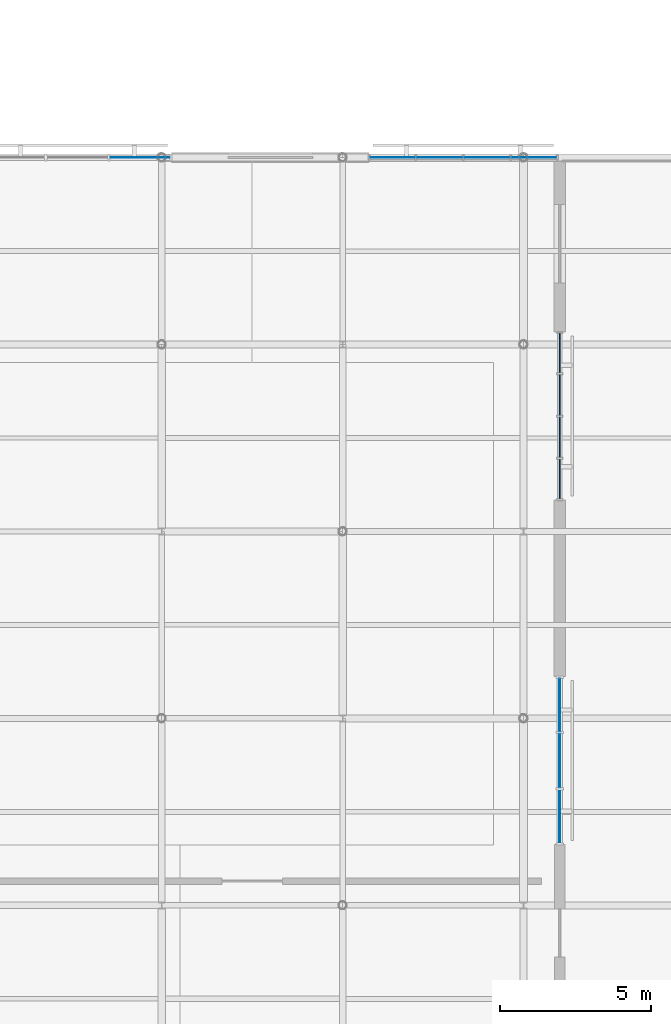
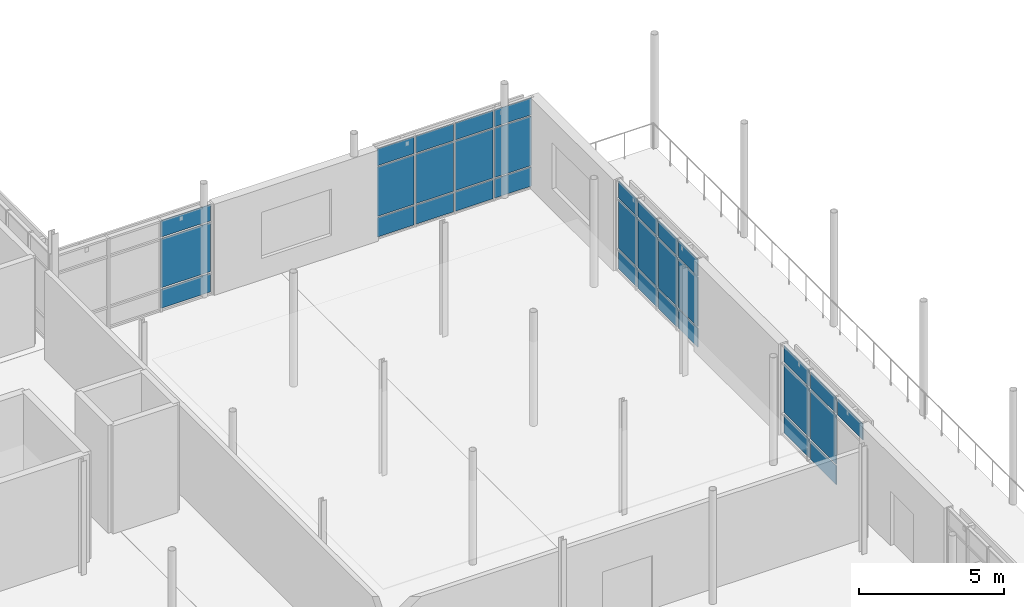
# One storey, part 43 of 66: 34 plates, 4 elements without a shape of their own.
"""IFC4 building model written with IfcOpenShell, lengths in metres."""

from ifc_helpers import new_model, si_unit, direction, frame, origin, origin_2d, place, context, subcontext, project, spatial, rectangle, extrude, material, layer, layer_set, type_object, element, aggregate, save


model = new_model("IFC4")

# Units and contexts
model_context = context("Model", 3, precision=1e-05, world=origin(), true_north=direction((0.0, 1.0)))
body_context = subcontext(model_context, "Body", "Model", "MODEL_VIEW")
ifc_project = project(units=[si_unit("LENGTHUNIT", "METRE"), si_unit("AREAUNIT", "SQUARE_METRE"), si_unit("VOLUMEUNIT", "CUBIC_METRE"), si_unit("PLANEANGLEUNIT", "RADIAN"), si_unit("MASSUNIT", "GRAM", prefix="KILO")], contexts=[model_context])

# Site, building, storey
site_placement = place(None, origin())
site = spatial("IfcSite", under=ifc_project, at=site_placement, CompositionType="ELEMENT")
building_placement = place(site_placement, origin())
building = spatial("IfcBuilding", under=site, at=building_placement, Name="Mirzam Square Science Centre", CompositionType="ELEMENT")
storey_placement = place(building_placement, frame((0.0, 0.0, 15.60009765625)))
storey = spatial("IfcBuildingStorey", under=building, at=storey_placement, Name="L03", CompositionType="ELEMENT", Elevation=15.60009765625)

# Curtain wall, plates
ifc_material_1 = material(Name="Anodised Aluminium and Low-E Solar Glass", Category="aluminium")
ifc_layer_1 = layer(ifc_material_1, 0.159912109375)
ifc_layer_set_1 = layer_set([ifc_layer_1], Name="CW-COURT-B")
curtain_wall_type_1 = type_object("IfcCurtainWallType", Name="CW-COURT-B", PredefinedType="USERDEFINED", material=ifc_layer_set_1)
curtain_wall_1_placement = place(storey_placement, origin())
curtain_wall_1 = element("IfcCurtainWall", 1, at=curtain_wall_1_placement, inside=storey, type_object=curtain_wall_type_1, Name="L03 unitised curtain wall 130", ObjectType="UNITISED CURTAIN WALL", PredefinedType="USERDEFINED")
ifc_material_2 = material(Name="Ceramic-Fritted Courtyard Solar Glass", Category="glass")
ifc_layer_2 = layer(ifc_material_2, 0.02392578125)
ifc_layer_set_2 = layer_set([ifc_layer_2], Name="CWP-GLZ-24")
plate_type_1 = type_object("IfcPlateType", Name="CWP-GLZ-24", PredefinedType="CURTAIN_PANEL", material=ifc_layer_set_2)
plate_1_placement = place(storey_placement, frame((156.34375, 86.800048828125, 0.059814453125), z_axis=(0.0, 0.0, 1.0), x_axis=(-1.0, 0.0, 0.0)))
plate_1 = element("IfcPlate", 2, at=plate_1_placement, type_object=plate_type_1, Name="CW-04 panel 1.1", PredefinedType="CURTAIN_PANEL", context=body_context, shape_type="SweptSolid", body=[
    extrude(rectangle(XDim=1.482421875, YDim=0.02392578125, at=origin_2d()), origin(), (0.0, 0.0, 1.0), 0.81005859375),
])
plate_2_placement = place(storey_placement, frame((156.34375, 86.800048828125, 0.929931640625), z_axis=(0.0, 0.0, 1.0), x_axis=(-1.0, 0.0, 0.0)))
plate_2 = element("IfcPlate", 3, at=plate_2_placement, type_object=plate_type_1, Name="CW-04 panel 1.2", PredefinedType="CURTAIN_PANEL", context=body_context, shape_type="SweptSolid", body=[
    extrude(rectangle(XDim=1.482421875, YDim=0.02392578125, at=origin_2d()), origin(), (0.0, 0.0, 1.0), 2.080078125),
])
plate_3_placement = place(storey_placement, frame((156.34375, 86.800048828125, 3.06982421875), z_axis=(0.0, 0.0, 1.0), x_axis=(-1.0, 0.0, 0.0)))
plate_3 = element("IfcPlate", 4, at=plate_3_placement, type_object=plate_type_1, Name="CW-04 panel 1.3", PredefinedType="CURTAIN_PANEL", context=body_context, shape_type="SweptSolid", body=[
    extrude(rectangle(XDim=1.482421875, YDim=0.02392578125, at=origin_2d()), origin(), (0.0, 0.0, 1.0), 0.7099609375),
])
plate_4_placement = place(storey_placement, frame((154.7861328125, 86.800048828125, 0.059814453125), z_axis=(0.0, 0.0, 1.0), x_axis=(-1.0, 0.0, 0.0)))
plate_4 = element("IfcPlate", 5, at=plate_4_placement, type_object=plate_type_1, Name="CW-04 panel 2.1", PredefinedType="CURTAIN_PANEL", context=body_context, shape_type="SweptSolid", body=[
    extrude(rectangle(XDim=1.512451171875, YDim=0.02392578125, at=origin_2d()), origin(), (0.0, 0.0, 1.0), 0.81005859375),
])
plate_5_placement = place(storey_placement, frame((154.7861328125, 86.800048828125, 0.929931640625), z_axis=(0.0, 0.0, 1.0), x_axis=(-1.0, 0.0, 0.0)))
plate_5 = element("IfcPlate", 6, at=plate_5_placement, type_object=plate_type_1, Name="CW-04 panel 2.2", PredefinedType="CURTAIN_PANEL", context=body_context, shape_type="SweptSolid", body=[
    extrude(rectangle(XDim=1.512451171875, YDim=0.02392578125, at=origin_2d()), origin(), (0.0, 0.0, 1.0), 2.080078125),
])
plate_6_placement = place(storey_placement, frame((154.7861328125, 86.800048828125, 3.06982421875), z_axis=(0.0, 0.0, 1.0), x_axis=(-1.0, 0.0, 0.0)))
plate_6 = element("IfcPlate", 7, at=plate_6_placement, type_object=plate_type_1, Name="CW-04 panel 2.3", PredefinedType="CURTAIN_PANEL", context=body_context, shape_type="SweptSolid", body=[
    extrude(rectangle(XDim=1.512451171875, YDim=0.02392578125, at=origin_2d()), origin(), (0.0, 0.0, 1.0), 0.7099609375),
])
plate_7_placement = place(storey_placement, frame((153.2138671875, 86.800048828125, 0.059814453125), z_axis=(0.0, 0.0, 1.0), x_axis=(-1.0, 0.0, 0.0)))
plate_7 = element("IfcPlate", 8, at=plate_7_placement, type_object=plate_type_1, Name="CW-04 panel 3.1", PredefinedType="CURTAIN_PANEL", context=body_context, shape_type="SweptSolid", body=[
    extrude(rectangle(XDim=1.512451171875, YDim=0.02392578125, at=origin_2d()), origin(), (0.0, 0.0, 1.0), 0.81005859375),
])
plate_8_placement = place(storey_placement, frame((153.2138671875, 86.800048828125, 0.929931640625), z_axis=(0.0, 0.0, 1.0), x_axis=(-1.0, 0.0, 0.0)))
plate_8 = element("IfcPlate", 9, at=plate_8_placement, type_object=plate_type_1, Name="CW-04 panel 3.2", PredefinedType="CURTAIN_PANEL", context=body_context, shape_type="SweptSolid", body=[
    extrude(rectangle(XDim=1.512451171875, YDim=0.02392578125, at=origin_2d()), origin(), (0.0, 0.0, 1.0), 2.080078125),
])
plate_9_placement = place(storey_placement, frame((153.2138671875, 86.800048828125, 3.06982421875), z_axis=(0.0, 0.0, 1.0), x_axis=(-1.0, 0.0, 0.0)))
plate_9 = element("IfcPlate", 10, at=plate_9_placement, type_object=plate_type_1, Name="CW-04 panel 3.3", PredefinedType="CURTAIN_PANEL", context=body_context, shape_type="SweptSolid", body=[
    extrude(rectangle(XDim=1.512451171875, YDim=0.02392578125, at=origin_2d()), origin(), (0.0, 0.0, 1.0), 0.7099609375),
])
plate_10_placement = place(storey_placement, frame((151.65625, 86.800048828125, 0.059814453125), z_axis=(0.0, 0.0, 1.0), x_axis=(-1.0, 0.0, 0.0)))
plate_10 = element("IfcPlate", 11, at=plate_10_placement, type_object=plate_type_1, Name="CW-04 panel 4.1", PredefinedType="CURTAIN_PANEL", context=body_context, shape_type="SweptSolid", body=[
    extrude(rectangle(XDim=1.482421875, YDim=0.02392578125, at=origin_2d()), origin(), (0.0, 0.0, 1.0), 0.81005859375),
])
plate_11_placement = place(storey_placement, frame((151.65625, 86.800048828125, 0.929931640625), z_axis=(0.0, 0.0, 1.0), x_axis=(-1.0, 0.0, 0.0)))
plate_11 = element("IfcPlate", 12, at=plate_11_placement, type_object=plate_type_1, Name="CW-04 panel 4.2", PredefinedType="CURTAIN_PANEL", context=body_context, shape_type="SweptSolid", body=[
    extrude(rectangle(XDim=1.482421875, YDim=0.02392578125, at=origin_2d()), origin(), (0.0, 0.0, 1.0), 2.080078125),
])
plate_12_placement = place(storey_placement, frame((151.65625, 86.800048828125, 3.06982421875), z_axis=(0.0, 0.0, 1.0), x_axis=(-1.0, 0.0, 0.0)))
plate_12 = element("IfcPlate", 13, at=plate_12_placement, type_object=plate_type_1, Name="CW-04 panel 4.3", PredefinedType="CURTAIN_PANEL", context=body_context, shape_type="SweptSolid", body=[
    extrude(rectangle(XDim=1.482421875, YDim=0.02392578125, at=origin_2d()), origin(), (0.0, 0.0, 1.0), 0.7099609375),
])
aggregate(curtain_wall_1, [plate_1, plate_2, plate_3, plate_4, plate_5, plate_6, plate_7, plate_8, plate_9, plate_10, plate_11, plate_12])

ifc_layer_3 = layer(ifc_material_1, 0.239990234375)
ifc_layer_set_3 = layer_set([ifc_layer_3], Name="CW-EAST-B")
curtain_wall_type_2 = type_object("IfcCurtainWallType", Name="CW-EAST-B", PredefinedType="USERDEFINED", material=ifc_layer_set_3)
curtain_wall_2_placement = place(storey_placement, origin())
curtain_wall_2 = element("IfcCurtainWall", 14, at=curtain_wall_2_placement, inside=storey, type_object=curtain_wall_type_2, Name="L03 unitised curtain wall 128", ObjectType="UNITISED CURTAIN WALL", PredefinedType="USERDEFINED")
ifc_material_3 = material(Name="Double-Silver Low-E Insulated Solar Glass", Category="glass")
ifc_layer_4 = layer(ifc_material_3, 0.028076171875)
ifc_layer_set_4 = layer_set([ifc_layer_4], Name="CWP-GLZ-28")
plate_type_2 = type_object("IfcPlateType", Name="CWP-GLZ-28", PredefinedType="CURTAIN_PANEL", material=ifc_layer_set_4)
plate_13_placement = place(storey_placement, frame((157.199951171875, 64.95068359375, 3.077392578125), z_axis=(0.0, 0.0, 1.0), x_axis=(0.0, 1.0, 0.0)))
plate_13 = element("IfcPlate", 15, at=plate_13_placement, type_object=plate_type_2, Name="CW-06 panel 1.3", PredefinedType="CURTAIN_PANEL", context=body_context, shape_type="SweptSolid", body=[
    extrude(rectangle(XDim=1.755615234375, YDim=0.028076171875, at=origin_2d()), origin(), (0.0, 0.0, 1.0), 0.6875),
])
plate_14_placement = place(storey_placement, frame((157.199951171875, 66.800048828125, 0.074951171875), z_axis=(0.0, 0.0, 1.0), x_axis=(0.0, 1.0, 0.0)))
plate_14 = element("IfcPlate", 16, at=plate_14_placement, type_object=plate_type_2, Name="CW-06 panel 2.1", PredefinedType="CURTAIN_PANEL", context=body_context, shape_type="SweptSolid", body=[
    extrude(rectangle(XDim=1.79296875, YDim=0.028076171875, at=origin_2d()), origin(), (0.0, 0.0, 1.0), 0.78759765625),
])
plate_15_placement = place(storey_placement, frame((157.199951171875, 66.800048828125, 0.9375), z_axis=(0.0, 0.0, 1.0), x_axis=(0.0, 1.0, 0.0)))
plate_15 = element("IfcPlate", 17, at=plate_15_placement, type_object=plate_type_2, Name="CW-06 panel 2.2", PredefinedType="CURTAIN_PANEL", context=body_context, shape_type="SweptSolid", body=[
    extrude(rectangle(XDim=1.79296875, YDim=0.028076171875, at=origin_2d()), origin(), (0.0, 0.0, 1.0), 2.06494140625),
])
plate_16_placement = place(storey_placement, frame((157.199951171875, 66.800048828125, 3.077392578125), z_axis=(0.0, 0.0, 1.0), x_axis=(0.0, 1.0, 0.0)))
plate_16 = element("IfcPlate", 18, at=plate_16_placement, type_object=plate_type_2, Name="CW-06 panel 2.3", PredefinedType="CURTAIN_PANEL", context=body_context, shape_type="SweptSolid", body=[
    extrude(rectangle(XDim=1.79296875, YDim=0.028076171875, at=origin_2d()), origin(), (0.0, 0.0, 1.0), 0.6875),
])
plate_17_placement = place(storey_placement, frame((157.199951171875, 68.6494140625, 0.074951171875), z_axis=(0.0, 0.0, 1.0), x_axis=(0.0, 1.0, 0.0)))
plate_17 = element("IfcPlate", 19, at=plate_17_placement, type_object=plate_type_2, Name="CW-06 panel 3.1", PredefinedType="CURTAIN_PANEL", context=body_context, shape_type="SweptSolid", body=[
    extrude(rectangle(XDim=1.755615234375, YDim=0.028076171875, at=origin_2d()), origin(), (0.0, 0.0, 1.0), 0.78759765625),
])
plate_18_placement = place(storey_placement, frame((157.199951171875, 68.6494140625, 0.9375), z_axis=(0.0, 0.0, 1.0), x_axis=(0.0, 1.0, 0.0)))
plate_18 = element("IfcPlate", 20, at=plate_18_placement, type_object=plate_type_2, Name="CW-06 panel 3.2", PredefinedType="CURTAIN_PANEL", context=body_context, shape_type="SweptSolid", body=[
    extrude(rectangle(XDim=1.755615234375, YDim=0.028076171875, at=origin_2d()), origin(), (0.0, 0.0, 1.0), 2.06494140625),
])
plate_19_placement = place(storey_placement, frame((157.199951171875, 68.6494140625, 3.077392578125), z_axis=(0.0, 0.0, 1.0), x_axis=(0.0, 1.0, 0.0)))
plate_19 = element("IfcPlate", 21, at=plate_19_placement, type_object=plate_type_2, Name="CW-06 panel 3.3", PredefinedType="CURTAIN_PANEL", context=body_context, shape_type="SweptSolid", body=[
    extrude(rectangle(XDim=1.755615234375, YDim=0.028076171875, at=origin_2d()), origin(), (0.0, 0.0, 1.0), 0.6875),
])
aggregate(curtain_wall_2, [plate_13, plate_14, plate_15, plate_16, plate_17, plate_18, plate_19])

curtain_wall_3_placement = place(storey_placement, origin())
curtain_wall_3 = element("IfcCurtainWall", 22, at=curtain_wall_3_placement, inside=storey, type_object=curtain_wall_type_2, Name="L03 unitised curtain wall 131", ObjectType="UNITISED CURTAIN WALL", PredefinedType="USERDEFINED")
plate_20_placement = place(storey_placement, frame((143.27783203125, 86.800048828125, 0.074951171875), z_axis=(0.0, 0.0, 1.0), x_axis=(-1.0, 0.0, 0.0)))
plate_20 = element("IfcPlate", 23, at=plate_20_placement, type_object=plate_type_2, Name="CW-06 panel 1.1", PredefinedType="CURTAIN_PANEL", context=body_context, shape_type="SweptSolid", body=[
    extrude(rectangle(XDim=1.984130859375, YDim=0.028076171875, at=origin_2d()), origin(), (0.0, 0.0, 1.0), 0.78759765625),
])
plate_21_placement = place(storey_placement, frame((143.27783203125, 86.800048828125, 0.9375), z_axis=(0.0, 0.0, 1.0), x_axis=(-1.0, 0.0, 0.0)))
plate_21 = element("IfcPlate", 24, at=plate_21_placement, type_object=plate_type_2, Name="CW-06 panel 1.2", PredefinedType="CURTAIN_PANEL", context=body_context, shape_type="SweptSolid", body=[
    extrude(rectangle(XDim=1.984130859375, YDim=0.028076171875, at=origin_2d()), origin(), (0.0, 0.0, 1.0), 2.06494140625),
])
plate_22_placement = place(storey_placement, frame((143.27783203125, 86.800048828125, 3.077392578125), z_axis=(0.0, 0.0, 1.0), x_axis=(-1.0, 0.0, 0.0)))
plate_22 = element("IfcPlate", 25, at=plate_22_placement, type_object=plate_type_2, Name="CW-06 panel 1.3", PredefinedType="CURTAIN_PANEL", context=body_context, shape_type="SweptSolid", body=[
    extrude(rectangle(XDim=1.984130859375, YDim=0.028076171875, at=origin_2d()), origin(), (0.0, 0.0, 1.0), 0.6875),
])
aggregate(curtain_wall_3, [plate_20, plate_21, plate_22])

ifc_layer_5 = layer(ifc_material_1, 0.179931640625)
ifc_layer_set_5 = layer_set([ifc_layer_5], Name="CW-LINK-A")
curtain_wall_type_3 = type_object("IfcCurtainWallType", Name="CW-LINK-A", PredefinedType="USERDEFINED", material=ifc_layer_set_5)
curtain_wall_4_placement = place(storey_placement, origin())
curtain_wall_4 = element("IfcCurtainWall", 26, at=curtain_wall_4_placement, inside=storey, type_object=curtain_wall_type_3, Name="L03 unitised curtain wall 129", ObjectType="UNITISED CURTAIN WALL", PredefinedType="USERDEFINED")
ifc_material_4 = material(Name="Laminated Low-Iron Observatory Solar Glass", Category="glass")
ifc_layer_6 = layer(ifc_material_4, 0.035888671875)
ifc_layer_set_6 = layer_set([ifc_layer_6], Name="CWP-GLZ-36")
plate_type_3 = type_object("IfcPlateType", Name="CWP-GLZ-36", PredefinedType="CURTAIN_PANEL", material=ifc_layer_set_6)
plate_23_placement = place(storey_placement, frame((157.199951171875, 76.14306640625, 0.06494140625), z_axis=(0.0, 0.0, 1.0), x_axis=(0.0, 1.0, 0.0)))
plate_23 = element("IfcPlate", 27, at=plate_23_placement, type_object=plate_type_3, Name="CW-08 panel 1.1", PredefinedType="CURTAIN_PANEL", context=body_context, shape_type="SweptSolid", body=[
    extrude(rectangle(XDim=1.303466796875, YDim=0.035888671875, at=origin_2d()), origin(), (0.0, 0.0, 1.0), 0.802490234375),
])
plate_24_placement = place(storey_placement, frame((157.199951171875, 76.14306640625, 0.9326171875), z_axis=(0.0, 0.0, 1.0), x_axis=(0.0, 1.0, 0.0)))
plate_24 = element("IfcPlate", 28, at=plate_24_placement, type_object=plate_type_3, Name="CW-08 panel 1.2", PredefinedType="CURTAIN_PANEL", context=body_context, shape_type="SweptSolid", body=[
    extrude(rectangle(XDim=1.303466796875, YDim=0.035888671875, at=origin_2d()), origin(), (0.0, 0.0, 1.0), 2.074951171875),
])
plate_25_placement = place(storey_placement, frame((157.199951171875, 76.14306640625, 3.072265625), z_axis=(0.0, 0.0, 1.0), x_axis=(0.0, 1.0, 0.0)))
plate_25 = element("IfcPlate", 29, at=plate_25_placement, type_object=plate_type_3, Name="CW-08 panel 1.3", PredefinedType="CURTAIN_PANEL", context=body_context, shape_type="SweptSolid", body=[
    extrude(rectangle(XDim=1.303466796875, YDim=0.035888671875, at=origin_2d()), origin(), (0.0, 0.0, 1.0), 0.702392578125),
])
plate_26_placement = place(storey_placement, frame((157.199951171875, 77.528076171875, 0.06494140625), z_axis=(0.0, 0.0, 1.0), x_axis=(0.0, 1.0, 0.0)))
plate_26 = element("IfcPlate", 30, at=plate_26_placement, type_object=plate_type_3, Name="CW-08 panel 2.1", PredefinedType="CURTAIN_PANEL", context=body_context, shape_type="SweptSolid", body=[
    extrude(rectangle(XDim=1.336181640625, YDim=0.035888671875, at=origin_2d()), origin(), (0.0, 0.0, 1.0), 0.802490234375),
])
plate_27_placement = place(storey_placement, frame((157.199951171875, 77.528076171875, 0.9326171875), z_axis=(0.0, 0.0, 1.0), x_axis=(0.0, 1.0, 0.0)))
plate_27 = element("IfcPlate", 31, at=plate_27_placement, type_object=plate_type_3, Name="CW-08 panel 2.2", PredefinedType="CURTAIN_PANEL", context=body_context, shape_type="SweptSolid", body=[
    extrude(rectangle(XDim=1.336181640625, YDim=0.035888671875, at=origin_2d()), origin(), (0.0, 0.0, 1.0), 2.074951171875),
])
plate_28_placement = place(storey_placement, frame((157.199951171875, 77.528076171875, 3.072265625), z_axis=(0.0, 0.0, 1.0), x_axis=(0.0, 1.0, 0.0)))
plate_28 = element("IfcPlate", 32, at=plate_28_placement, type_object=plate_type_3, Name="CW-08 panel 2.3", PredefinedType="CURTAIN_PANEL", context=body_context, shape_type="SweptSolid", body=[
    extrude(rectangle(XDim=1.336181640625, YDim=0.035888671875, at=origin_2d()), origin(), (0.0, 0.0, 1.0), 0.702392578125),
])
plate_29_placement = place(storey_placement, frame((157.199951171875, 78.92919921875, 0.06494140625), z_axis=(0.0, 0.0, 1.0), x_axis=(0.0, 1.0, 0.0)))
plate_29 = element("IfcPlate", 33, at=plate_29_placement, type_object=plate_type_3, Name="CW-08 panel 3.1", PredefinedType="CURTAIN_PANEL", context=body_context, shape_type="SweptSolid", body=[
    extrude(rectangle(XDim=1.336181640625, YDim=0.035888671875, at=origin_2d()), origin(), (0.0, 0.0, 1.0), 0.802490234375),
])
plate_30_placement = place(storey_placement, frame((157.199951171875, 78.92919921875, 0.9326171875), z_axis=(0.0, 0.0, 1.0), x_axis=(0.0, 1.0, 0.0)))
plate_30 = element("IfcPlate", 34, at=plate_30_placement, type_object=plate_type_3, Name="CW-08 panel 3.2", PredefinedType="CURTAIN_PANEL", context=body_context, shape_type="SweptSolid", body=[
    extrude(rectangle(XDim=1.336181640625, YDim=0.035888671875, at=origin_2d()), origin(), (0.0, 0.0, 1.0), 2.074951171875),
])
plate_31_placement = place(storey_placement, frame((157.199951171875, 78.92919921875, 3.072265625), z_axis=(0.0, 0.0, 1.0), x_axis=(0.0, 1.0, 0.0)))
plate_31 = element("IfcPlate", 35, at=plate_31_placement, type_object=plate_type_3, Name="CW-08 panel 3.3", PredefinedType="CURTAIN_PANEL", context=body_context, shape_type="SweptSolid", body=[
    extrude(rectangle(XDim=1.336181640625, YDim=0.035888671875, at=origin_2d()), origin(), (0.0, 0.0, 1.0), 0.702392578125),
])
plate_32_placement = place(storey_placement, frame((157.199951171875, 80.31396484375, 0.06494140625), z_axis=(0.0, 0.0, 1.0), x_axis=(0.0, 1.0, 0.0)))
plate_32 = element("IfcPlate", 36, at=plate_32_placement, type_object=plate_type_3, Name="CW-08 panel 4.1", PredefinedType="CURTAIN_PANEL", context=body_context, shape_type="SweptSolid", body=[
    extrude(rectangle(XDim=1.303466796875, YDim=0.035888671875, at=origin_2d()), origin(), (0.0, 0.0, 1.0), 0.802490234375),
])
plate_33_placement = place(storey_placement, frame((157.199951171875, 80.31396484375, 0.9326171875), z_axis=(0.0, 0.0, 1.0), x_axis=(0.0, 1.0, 0.0)))
plate_33 = element("IfcPlate", 37, at=plate_33_placement, type_object=plate_type_3, Name="CW-08 panel 4.2", PredefinedType="CURTAIN_PANEL", context=body_context, shape_type="SweptSolid", body=[
    extrude(rectangle(XDim=1.303466796875, YDim=0.035888671875, at=origin_2d()), origin(), (0.0, 0.0, 1.0), 2.074951171875),
])
plate_34_placement = place(storey_placement, frame((157.199951171875, 80.31396484375, 3.072265625), z_axis=(0.0, 0.0, 1.0), x_axis=(0.0, 1.0, 0.0)))
plate_34 = element("IfcPlate", 38, at=plate_34_placement, type_object=plate_type_3, Name="CW-08 panel 4.3", PredefinedType="CURTAIN_PANEL", context=body_context, shape_type="SweptSolid", body=[
    extrude(rectangle(XDim=1.303466796875, YDim=0.035888671875, at=origin_2d()), origin(), (0.0, 0.0, 1.0), 0.702392578125),
])
aggregate(curtain_wall_4, [plate_23, plate_24, plate_25, plate_26, plate_27, plate_28, plate_29, plate_30, plate_31, plate_32, plate_33, plate_34])

save(model, "model.ifc")
